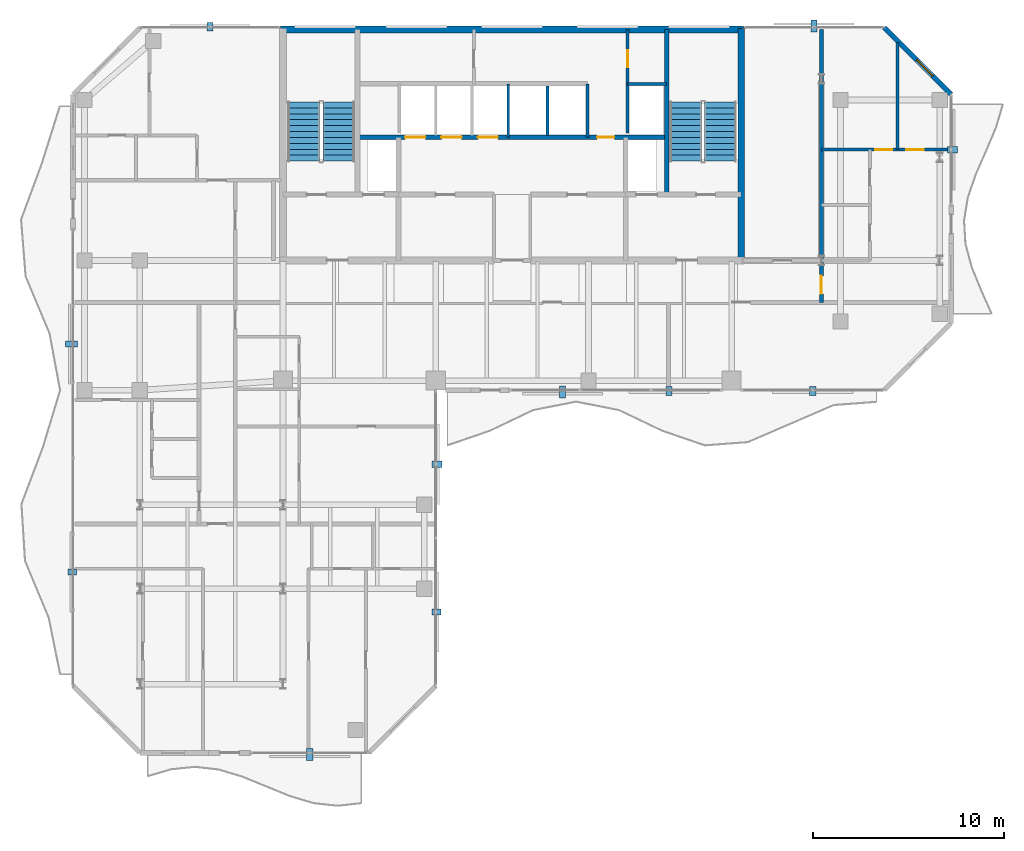
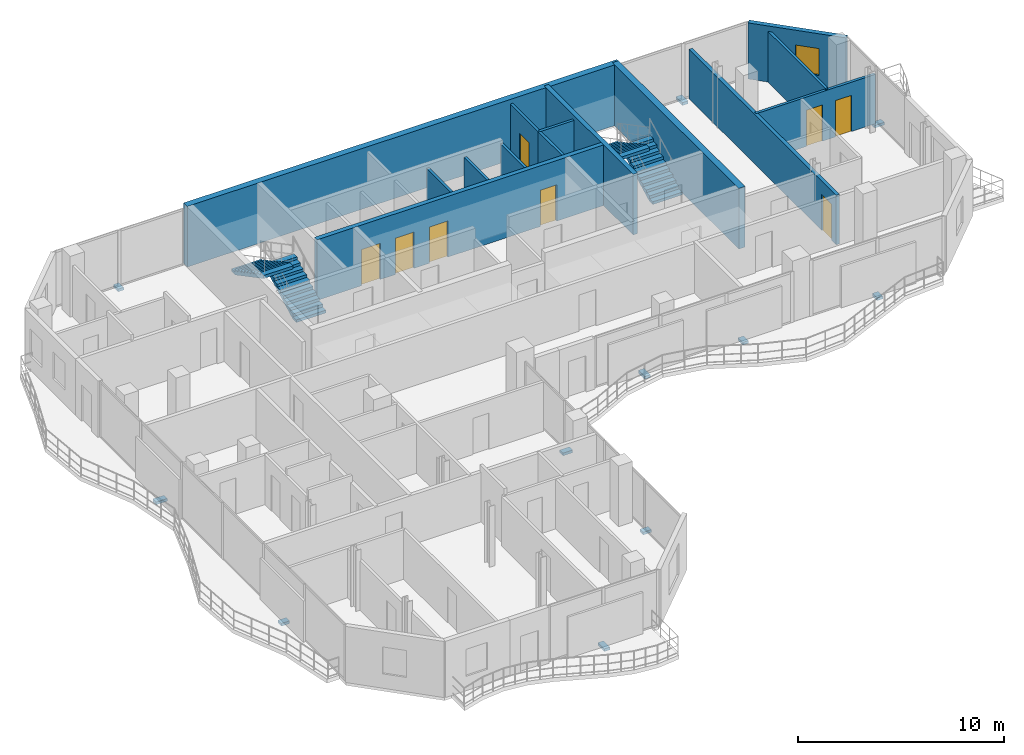
# One storey, part 20 of 23: 14 walls, 11 discrete accessories, 8 doors, 4 stair flights, 1 window, 9 openings, 2 elements without a shape of their own.
"""IFC4 building model written with IfcOpenShell, lengths in metres."""

from ifc_helpers import new_model, si_unit, direction, frame, frame_2d, origin, origin_2d, place, context, subcontext, project, spatial, polyline, rectangle, outline, extrude, material, layer, layer_set, type_object, element, fill, aggregate, save


model = new_model("IFC4")

# Units and contexts
model_context = context("Model", 3, precision=1e-05, world=origin(), true_north=direction((0.0, 1.0)))
body_context = subcontext(model_context, "Body", "Model", "MODEL_VIEW")
ifc_project = project(units=[si_unit("LENGTHUNIT", "METRE"), si_unit("AREAUNIT", "SQUARE_METRE"), si_unit("VOLUMEUNIT", "CUBIC_METRE"), si_unit("PLANEANGLEUNIT", "RADIAN"), si_unit("MASSUNIT", "GRAM", prefix="KILO")], contexts=[model_context])

# Site, building, storey
site_placement = place(None, origin())
site = spatial("IfcSite", under=ifc_project, at=site_placement, CompositionType="ELEMENT")
building_placement = place(site_placement, origin())
building = spatial("IfcBuilding", under=site, at=building_placement, Name="Catumbela Crestline Tower", CompositionType="ELEMENT")
storey_placement = place(building_placement, frame((0.0, 0.0, 165.0)))
storey = spatial("IfcBuildingStorey", under=building, at=storey_placement, Name="L42", CompositionType="ELEMENT", Elevation=165.0)

# Wall
ifc_material_1 = material(Name="Concrete C50/60", Category="concrete")
ifc_layer_1 = layer(ifc_material_1, 0.25, Name="Concrete C50/60")
ifc_layer_set_1 = layer_set([ifc_layer_1], Name="Concrete C50/60")
wall_type_1 = type_object("IfcWallType", Name="CW-250D", PredefinedType="SHEAR", material=ifc_layer_set_1)
wall_1_placement = place(storey_placement, frame((36.1, 34.25, 0.0), z_axis=(0.0, 0.0, 1.0), x_axis=(0.0, 1.0, 0.0)))
element("IfcWall", 1, at=wall_1_placement, inside=storey, type_object=wall_type_1, Name="L42 Structural Core Shear Wall EWEB", PredefinedType="SHEAR", context=body_context, shape_type="SweptSolid", body=[
    extrude(rectangle(XDim=8.65, YDim=0.25, at=frame_2d((4.325, 0.0))), origin(), (0.0, 0.0, 1.0), 3.6),
])

# Wall, openings, doors
wall_2_placement = place(storey_placement, frame((19.9, 37.25, 0.0), z_axis=(0.0, 0.0, 1.0), x_axis=(1.0, 0.0, 0.0)))
wall_2 = element("IfcWall", 2, at=wall_2_placement, inside=storey, type_object=wall_type_1, Name="L42 Structural Core Shear Wall LIFTN", PredefinedType="SHEAR", context=body_context, shape_type="SweptSolid", body=[
    extrude(rectangle(XDim=16.2, YDim=0.25, at=frame_2d((8.1, 0.0))), origin(), (0.0, 0.0, 1.0), 3.6),
])
opening_1_placement = place(wall_2_placement, frame((12.55, 0.0, 0.0)))
opening_1 = element("IfcOpeningElement", 3, at=opening_1_placement, cuts=wall_2, Name="Opening DF9-090", PredefinedType="OPENING", context=body_context, shape_type="SweptSolid", body=[
    extrude(rectangle(XDim=0.9, YDim=2.15, at=frame_2d((0.45, 1.075))), frame((0.0, 0.135, 0.0), z_axis=(0.0, -1.0, 0.0), x_axis=(1.0, 0.0, 0.0)), (0.0, 0.0, 1.0), 0.27),
])
opening_2_placement = place(wall_2_placement, frame((2.5, 0.0, 0.0)))
opening_2 = element("IfcOpeningElement", 4, at=opening_2_placement, cuts=wall_2, Name="Opening LD-105", PredefinedType="OPENING", context=body_context, shape_type="SweptSolid", body=[
    extrude(rectangle(XDim=1.05, YDim=2.15, at=frame_2d((0.525, 1.075))), frame((0.0, 0.135, 0.0), z_axis=(0.0, -1.0, 0.0), x_axis=(1.0, 0.0, 0.0)), (0.0, 0.0, 1.0), 0.27),
])
opening_3_placement = place(wall_2_placement, frame((4.4, 0.0, 0.0)))
opening_3 = element("IfcOpeningElement", 5, at=opening_3_placement, cuts=wall_2, Name="Opening LD-105", PredefinedType="OPENING", context=body_context, shape_type="SweptSolid", body=[
    extrude(rectangle(XDim=1.05, YDim=2.15, at=frame_2d((0.525, 1.075))), frame((0.0, 0.135, 0.0), z_axis=(0.0, -1.0, 0.0), x_axis=(1.0, 0.0, 0.0)), (0.0, 0.0, 1.0), 0.27),
])
opening_4_placement = place(wall_2_placement, frame((6.3, 0.0, 0.0)))
opening_4 = element("IfcOpeningElement", 6, at=opening_4_placement, cuts=wall_2, Name="Opening LD-105", PredefinedType="OPENING", context=body_context, shape_type="SweptSolid", body=[
    extrude(rectangle(XDim=1.05, YDim=2.15, at=frame_2d((0.525, 1.075))), frame((0.0, 0.135, 0.0), z_axis=(0.0, -1.0, 0.0), x_axis=(1.0, 0.0, 0.0)), (0.0, 0.0, 1.0), 0.27),
])
ifc_material_2 = material(Name="Stainless steel EN 1.4401", Category="steel")
door_type_1 = type_object("IfcDoorType", Name="DF9-090", OperationType="NOTDEFINED", PredefinedType="DOOR", material=ifc_material_2)
door_1_placement = place(opening_1_placement, origin())
door_1 = element("IfcDoor", 7, at=door_1_placement, inside=storey, type_object=door_type_1, Name="L42 Interior Door DR-L42-CPAS1", OperationType="SINGLE_SWING_LEFT", OverallHeight=2.15, OverallWidth=0.9, PredefinedType="DOOR", context=body_context, shape_type="SweptSolid", body=[
    extrude(rectangle(XDim=0.9, YDim=2.15, at=frame_2d((0.45, 1.075))), frame((0.0, 0.025, 0.0), z_axis=(0.0, -1.0, 0.0), x_axis=(1.0, 0.0, 0.0)), (0.0, 0.0, 1.0), 0.05),
])
fill(opening_1, door_1)
door_type_2 = type_object("IfcDoorType", Name="LD-105", OperationType="NOTDEFINED", PredefinedType="DOOR", material=ifc_material_2)
door_2_placement = place(opening_2_placement, origin())
door_2 = element("IfcDoor", 8, at=door_2_placement, inside=storey, type_object=door_type_2, Name="L42 Lift Landing Sliding Door PL-H1", OperationType="DOUBLE_DOOR_SLIDING", OverallHeight=2.15, OverallWidth=1.05, PredefinedType="DOOR", context=body_context, shape_type="SweptSolid", body=[
    extrude(rectangle(XDim=1.05, YDim=2.15, at=frame_2d((0.525, 1.075))), frame((0.0, 0.025, 0.0), z_axis=(0.0, -1.0, 0.0), x_axis=(1.0, 0.0, 0.0)), (0.0, 0.0, 1.0), 0.05),
])
fill(opening_2, door_2)
door_3_placement = place(opening_3_placement, origin())
door_3 = element("IfcDoor", 9, at=door_3_placement, inside=storey, type_object=door_type_2, Name="L42 Lift Landing Sliding Door PL-H2", OperationType="DOUBLE_DOOR_SLIDING", OverallHeight=2.15, OverallWidth=1.05, PredefinedType="DOOR", context=body_context, shape_type="SweptSolid", body=[
    extrude(rectangle(XDim=1.05, YDim=2.15, at=frame_2d((0.525, 1.075))), frame((0.0, 0.025, 0.0), z_axis=(0.0, -1.0, 0.0), x_axis=(1.0, 0.0, 0.0)), (0.0, 0.0, 1.0), 0.05),
])
fill(opening_3, door_3)
door_4_placement = place(opening_4_placement, origin())
door_4 = element("IfcDoor", 10, at=door_4_placement, inside=storey, type_object=door_type_2, Name="L42 Lift Landing Sliding Door PL-H3", OperationType="DOUBLE_DOOR_SLIDING", OverallHeight=2.15, OverallWidth=1.05, PredefinedType="DOOR", context=body_context, shape_type="SweptSolid", body=[
    extrude(rectangle(XDim=1.05, YDim=2.15, at=frame_2d((0.525, 1.075))), frame((0.0, 0.025, 0.0), z_axis=(0.0, -1.0, 0.0), x_axis=(1.0, 0.0, 0.0)), (0.0, 0.0, 1.0), 0.05),
])
fill(opening_4, door_4)

# Walls
ifc_layer_2 = layer(ifc_material_1, 0.35, Name="Concrete C50/60")
ifc_layer_set_2 = layer_set([ifc_layer_2], Name="Concrete C50/60")
wall_type_2 = type_object("IfcWallType", Name="CW-350B", PredefinedType="SHEAR", material=ifc_layer_set_2)
wall_3_placement = place(storey_placement, frame((40.0, 30.65, 0.0), z_axis=(0.0, 0.0, 1.0), x_axis=(0.0, 1.0, 0.0)))
element("IfcWall", 11, at=wall_3_placement, inside=storey, type_object=wall_type_2, Name="L42 Structural Core Shear Wall E", PredefinedType="SHEAR", context=body_context, shape_type="SweptSolid", body=[
    extrude(rectangle(XDim=12.3, YDim=0.35, at=frame_2d((6.15, 0.0))), origin(), (0.0, 0.0, 1.0), 3.6),
])
ifc_layer_3 = layer(ifc_material_1, 0.35, Name="Concrete C50/60")
ifc_layer_set_3 = layer_set([ifc_layer_3], Name="Concrete C50/60")
wall_type_3 = type_object("IfcWallType", Name="CW-350E", PredefinedType="SHEAR", material=ifc_layer_set_3)
wall_4_placement = place(storey_placement, frame((15.85, 42.9, 0.0), z_axis=(0.0, 0.0, 1.0), x_axis=(1.0, 0.0, 0.0)))
element("IfcWall", 12, at=wall_4_placement, inside=storey, type_object=wall_type_3, Name="L42 Structural Core Shear Wall N", PredefinedType="SHEAR", context=body_context, shape_type="SweptSolid", body=[
    extrude(rectangle(XDim=24.3, YDim=0.35, at=frame_2d((12.15, 0.0))), origin(), (0.0, 0.0, 1.0), 3.6),
])

# Wall, opening, door
ifc_material_3 = material(Name="Acoustic gypsum and mineral-wool partition")
ifc_layer_4 = layer(ifc_material_3, 0.2, Name="Acoustic gypsum and mineral-wool partition")
ifc_layer_set_4 = layer_set([ifc_layer_4], Name="Acoustic gypsum and mineral-wool partition")
wall_type_4 = type_object("IfcWallType", Name="WC-200", PredefinedType="PARTITIONING", material=ifc_layer_set_4)
wall_5_placement = place(storey_placement, frame((44.2, 28.6, 0.0), z_axis=(0.0, 0.0, 1.0), x_axis=(0.0, 1.0, 0.0)))
wall_5 = element("IfcWall", 13, at=wall_5_placement, inside=storey, type_object=wall_type_4, Name="L42 Interior Partition PW-L42-NE1-ENT", PredefinedType="PARTITIONING", context=body_context, shape_type="SweptSolid", body=[
    extrude(rectangle(XDim=14.3, YDim=0.2, at=frame_2d((7.15, 0.0))), origin(), (0.0, 0.0, 1.0), 2.93),
])
opening_5_placement = place(wall_5_placement, frame((0.445, 0.0, 0.0)))
opening_5 = element("IfcOpeningElement", 14, at=opening_5_placement, cuts=wall_5, Name="Opening DF6-095", PredefinedType="OPENING", context=body_context, shape_type="SweptSolid", body=[
    extrude(rectangle(XDim=0.95, YDim=2.15, at=frame_2d((0.475, 1.075))), frame((0.0, 0.11, 0.0), z_axis=(0.0, -1.0, 0.0), x_axis=(1.0, 0.0, 0.0)), (0.0, 0.0, 1.0), 0.22),
])
ifc_material_4 = material(Name="Aluminium alloy AW-6060-T66", Category="aluminium")
door_type_3 = type_object("IfcDoorType", Name="DF6-095", OperationType="NOTDEFINED", PredefinedType="DOOR", material=ifc_material_4)
door_5_placement = place(opening_5_placement, origin())
door_5 = element("IfcDoor", 15, at=door_5_placement, inside=storey, type_object=door_type_3, Name="L42 Interior Door DR-L42-NE1-ENT", OperationType="SINGLE_SWING_LEFT", OverallHeight=2.15, OverallWidth=0.95, PredefinedType="DOOR", context=body_context, shape_type="SweptSolid", body=[
    extrude(rectangle(XDim=0.95, YDim=2.15, at=frame_2d((0.475, 1.075))), frame((0.0, 0.025, 0.0), z_axis=(0.0, -1.0, 0.0), x_axis=(1.0, 0.0, 0.0)), (0.0, 0.0, 1.0), 0.05),
])
fill(opening_5, door_5)

# Wall, opening, window
ifc_material_5 = material(Name="Angolan grey-ochre granite", Category="masonry")
ifc_layer_5 = layer(ifc_material_5, 0.25, Name="Angolan grey-ochre granite")
ifc_layer_set_5 = layer_set([ifc_layer_5], Name="Angolan grey-ochre granite")
wall_type_5 = type_object("IfcWallType", Name="WE-250", PredefinedType="STANDARD", material=ifc_layer_set_5)
wall_6_placement = place(storey_placement, frame((51.0, 39.5, 0.0), z_axis=(0.0, 0.0, 1.0), x_axis=(-0.707106781187, 0.707106781187, 0.0)))
wall_6 = element("IfcWall", 16, at=wall_6_placement, inside=storey, type_object=wall_type_5, Name="L42 Granite Punched Window Wall 6-1", PredefinedType="STANDARD", context=body_context, shape_type="SweptSolid", body=[
    extrude(rectangle(XDim=4.9497, YDim=0.25, at=frame_2d((2.4748, 0.0))), origin(), (0.0, 0.0, 1.0), 3.33),
])
opening_6_placement = place(wall_6_placement, frame((1.3574, 0.0, 0.85)))
opening_6 = element("IfcOpeningElement", 17, at=opening_6_placement, cuts=wall_6, Name="Opening WN-02", PredefinedType="OPENING", context=body_context, shape_type="SweptSolid", body=[
    extrude(rectangle(XDim=1.2, YDim=1.6, at=frame_2d((0.6, 0.8))), frame((0.0, 0.135, 0.0), z_axis=(0.0, -1.0, 0.0), x_axis=(1.0, 0.0, 0.0)), (0.0, 0.0, 1.0), 0.27),
])
ifc_material_6 = material(Name="Low-E laminated solar-control double glazing", Category="glass")
window_type = type_object("IfcWindowType", Name="WO-1200", PartitioningType="SINGLE_PANEL", PredefinedType="WINDOW", material=ifc_material_6)
window_placement = place(opening_6_placement, origin())
window = element("IfcWindow", 18, at=window_placement, inside=storey, type_object=window_type, Name="L42 Facade Vision Window 248", OverallHeight=1.6, OverallWidth=1.2, PartitioningType="SINGLE_PANEL", PredefinedType="WINDOW", context=body_context, shape_type="SweptSolid", body=[
    extrude(rectangle(XDim=1.2, YDim=1.6, at=frame_2d((0.6, 0.8))), frame((0.0, 0.03, 0.0), z_axis=(0.0, -1.0, 0.0), x_axis=(1.0, 0.0, 0.0)), (0.0, 0.0, 1.0), 0.06),
])
fill(opening_6, window)

# Wall
ifc_layer_6 = layer(ifc_material_3, 0.15, Name="Acoustic gypsum and mineral-wool partition")
ifc_layer_set_6 = layer_set([ifc_layer_6], Name="Acoustic gypsum and mineral-wool partition")
wall_type_6 = type_object("IfcWallType", Name="WP-150", PredefinedType="PARTITIONING", material=ifc_layer_set_6)
wall_7_placement = place(storey_placement, frame((34.05, 40.05, 0.0), z_axis=(0.0, 0.0, 1.0), x_axis=(1.0, 0.0, 0.0)))
element("IfcWall", 19, at=wall_7_placement, inside=storey, type_object=wall_type_6, Name="L42 Interior Partition PW-L42-CR-ES", PredefinedType="PARTITIONING", context=body_context, shape_type="SweptSolid", body=[
    extrude(rectangle(XDim=2.05, YDim=0.15, at=frame_2d((1.025, 0.0))), origin(), (0.0, 0.0, 1.0), 3.33),
])

# Wall, opening, door
wall_8_placement = place(storey_placement, frame((34.05, 40.05, 0.0), z_axis=(0.0, 0.0, 1.0), x_axis=(0.0, 1.0, 0.0)))
wall_8 = element("IfcWall", 20, at=wall_8_placement, inside=storey, type_object=wall_type_6, Name="L42 Interior Partition PW-L42-CR-EW", PredefinedType="PARTITIONING", context=body_context, shape_type="SweptSolid", body=[
    extrude(rectangle(XDim=2.85, YDim=0.15, at=frame_2d((1.425, 0.0))), origin(), (0.0, 0.0, 1.0), 3.33),
])
opening_7_placement = place(wall_8_placement, frame((0.865, 0.0, 0.0)))
opening_7 = element("IfcOpeningElement", 21, at=opening_7_placement, cuts=wall_8, Name="Opening DF9-090", PredefinedType="OPENING", context=body_context, shape_type="SweptSolid", body=[
    extrude(rectangle(XDim=0.9, YDim=2.15, at=frame_2d((0.45, 1.075))), frame((0.0, 0.085, 0.0), z_axis=(0.0, -1.0, 0.0), x_axis=(1.0, 0.0, 0.0)), (0.0, 0.0, 1.0), 0.17),
])
door_6_placement = place(opening_7_placement, origin())
door_6 = element("IfcDoor", 22, at=door_6_placement, inside=storey, type_object=door_type_1, Name="L42 Interior Door DR-L42-CREAST", OperationType="SINGLE_SWING_RIGHT", OverallHeight=2.15, OverallWidth=0.9, PredefinedType="DOOR", context=body_context, shape_type="SweptSolid", body=[
    extrude(rectangle(XDim=0.9, YDim=2.15, at=frame_2d((0.45, 1.075))), frame((0.0, 0.025, 0.0), z_axis=(0.0, -1.0, 0.0), x_axis=(1.0, 0.0, 0.0)), (0.0, 0.0, 1.0), 0.05),
])
fill(opening_7, door_6)

# Wall, openings, doors
wall_9_placement = place(storey_placement, frame((44.2, 36.608, 0.0), z_axis=(0.0, 0.0, 1.0), x_axis=(1.0, 0.0, 0.0)))
wall_9 = element("IfcWall", 23, at=wall_9_placement, inside=storey, type_object=wall_type_6, Name="L42 Interior Partition PW-L42-NE1-KBN", PredefinedType="PARTITIONING", context=body_context, shape_type="SweptSolid", body=[
    extrude(rectangle(XDim=6.7, YDim=0.15, at=frame_2d((3.35, 0.0))), origin(), (0.0, 0.0, 1.0), 2.93),
])
opening_8_placement = place(wall_9_placement, frame((2.821, 0.0, 0.0)))
opening_8 = element("IfcOpeningElement", 24, at=opening_8_placement, cuts=wall_9, Name="Opening DI-090", PredefinedType="OPENING", context=body_context, shape_type="SweptSolid", body=[
    extrude(rectangle(XDim=0.9, YDim=2.15, at=frame_2d((0.45, 1.075))), frame((0.0, 0.085, 0.0), z_axis=(0.0, -1.0, 0.0), x_axis=(1.0, 0.0, 0.0)), (0.0, 0.0, 1.0), 0.17),
])
opening_9_placement = place(wall_9_placement, frame((4.4569, 0.0, 0.0)))
opening_9 = element("IfcOpeningElement", 25, at=opening_9_placement, cuts=wall_9, Name="Opening DI-090", PredefinedType="OPENING", context=body_context, shape_type="SweptSolid", body=[
    extrude(rectangle(XDim=0.9, YDim=2.15, at=frame_2d((0.45, 1.075))), frame((0.0, 0.085, 0.0), z_axis=(0.0, -1.0, 0.0), x_axis=(1.0, 0.0, 0.0)), (0.0, 0.0, 1.0), 0.17),
])
door_type_4 = type_object("IfcDoorType", Name="DI-090", OperationType="NOTDEFINED", PredefinedType="DOOR", material=ifc_material_4)
door_7_placement = place(opening_8_placement, origin())
door_7 = element("IfcDoor", 26, at=door_7_placement, inside=storey, type_object=door_type_4, Name="L42 Interior Door DR-L42-NE1-BD1", OperationType="SINGLE_SWING_LEFT", OverallHeight=2.15, OverallWidth=0.9, PredefinedType="DOOR", context=body_context, shape_type="SweptSolid", body=[
    extrude(rectangle(XDim=0.9, YDim=2.15, at=frame_2d((0.45, 1.075))), frame((0.0, 0.025, 0.0), z_axis=(0.0, -1.0, 0.0), x_axis=(1.0, 0.0, 0.0)), (0.0, 0.0, 1.0), 0.05),
])
fill(opening_8, door_7)
door_8_placement = place(opening_9_placement, origin())
door_8 = element("IfcDoor", 27, at=door_8_placement, inside=storey, type_object=door_type_4, Name="L42 Interior Door DR-L42-NE1-BD2", OperationType="SINGLE_SWING_RIGHT", OverallHeight=2.15, OverallWidth=0.9, PredefinedType="DOOR", context=body_context, shape_type="SweptSolid", body=[
    extrude(rectangle(XDim=0.9, YDim=2.15, at=frame_2d((0.45, 1.075))), frame((0.0, 0.025, 0.0), z_axis=(0.0, -1.0, 0.0), x_axis=(1.0, 0.0, 0.0)), (0.0, 0.0, 1.0), 0.05),
])
fill(opening_9, door_8)

# Walls
wall_10_placement = place(storey_placement, frame((48.196, 36.608, 0.0), z_axis=(0.0, 0.0, 1.0), x_axis=(0.0, 1.0, 0.0)))
element("IfcWall", 28, at=wall_10_placement, inside=storey, type_object=wall_type_6, Name="L42 Interior Partition PW-L42-NE1-BDP", PredefinedType="PARTITIONING", context=body_context, shape_type="SweptSolid", body=[
    extrude(rectangle(XDim=5.596, YDim=0.15, at=frame_2d((2.798, 0.0))), origin(), (0.0, 0.0, 1.0), 3.01),
])
ifc_layer_7 = layer(ifc_material_3, 0.15, Name="Acoustic gypsum and mineral-wool partition")
ifc_layer_set_7 = layer_set([ifc_layer_7], Name="Acoustic gypsum and mineral-wool partition")
wall_type_7 = type_object("IfcWallType", Name="WS-150", PredefinedType="PLUMBINGWALL", material=ifc_layer_set_7)
for number, where, z_axis, x_axis, name in (
    (29, (27.8, 37.25, 0.0), (0.0, 0.0, 1.0), (0.0, 1.0, 0.0), "L42 Interior Partition PW-L42-SHH3"),
    (30, (31.95, 37.25, 0.0), (0.0, 0.0, 1.0), (0.0, 1.0, 0.0), "L42 Interior Partition PW-L42-SHEX2E"),
):
    element("IfcWall", number, at=place(storey_placement, frame(where, z_axis=z_axis, x_axis=x_axis)), inside=storey, type_object=wall_type_7, Name=name, PredefinedType="PLUMBINGWALL", context=body_context, shape_type="SweptSolid", body=[
        extrude(rectangle(XDim=2.8, YDim=0.15, at=frame_2d((1.4, 0.0))), origin(), (0.0, 0.0, 1.0), 3.33),
    ])
wall_11_placement = place(storey_placement, frame((29.85, 37.35, 0.0), z_axis=(0.0, 0.0, 1.0), x_axis=(0.0, 1.0, 0.0)))
element("IfcWall", 31, at=wall_11_placement, inside=storey, type_object=wall_type_7, Name="L42 Interior Partition PW-L42-SHEX1", PredefinedType="PLUMBINGWALL", context=body_context, shape_type="SweptSolid", body=[
    extrude(rectangle(XDim=2.6, YDim=0.15, at=frame_2d((1.3, 0.0))), origin(), (0.0, 0.0, 1.0), 3.33),
])
wall_12_placement = place(storey_placement, frame((34.05, 37.4734, 0.0), z_axis=(0.0, 0.0, 1.0), x_axis=(0.0, 1.0, 0.0)))
element("IfcWall", 32, at=wall_12_placement, inside=storey, type_object=wall_type_7, Name="L42 Interior Partition PW-L42-RISW", PredefinedType="PLUMBINGWALL", context=body_context, shape_type="SweptSolid", body=[
    extrude(rectangle(XDim=2.5766, YDim=0.15, at=frame_2d((1.2883, 0.0))), origin(), (0.0, 0.0, 1.0), 3.33),
])

# Stair, stair flights
ifc_material_7 = material(Name="Concrete C45/55", Category="concrete")
stair_type = type_object("IfcStairType", Name="ST-DLG", PredefinedType="HALF_TURN_STAIR", material=ifc_material_7)
stair_1_placement = place(storey_placement, origin())
stair_1 = element("IfcStair", 33, at=stair_1_placement, inside=storey, type_object=stair_type, Name="L42 West Core Pressurised Exit Stair ST-01", PredefinedType="HALF_TURN_STAIR")
stair_flight_type = type_object("IfcStairFlightType", Name="SF-1636", PredefinedType="STRAIGHT", material=ifc_material_7)
stair_flight_1_placement = place(storey_placement, frame((18.92, 36.0, 0.0), z_axis=(0.0, 0.0, 1.0), x_axis=(0.0, 1.0, 0.0)))
stair_flight_1 = element("IfcStairFlight", 34, at=stair_flight_1_placement, type_object=stair_flight_type, Name="ST-01 flight 1", NumberOfRisers=11, NumberOfTreads=10, PredefinedType="STRAIGHT", RiserHeight=0.163636364, TreadLength=0.31, context=body_context, shape_type="SweptSolid", body=[
    extrude(outline(polyline([(0.0, 0.0), (0.0, 0.1636), (0.31, 0.1636), (0.31, 0.3273), (0.62, 0.3273), (0.62, 0.4909), (0.93, 0.4909), (0.93, 0.6545), (1.24, 0.6545), (1.24, 0.8182), (1.55, 0.8182), (1.55, 0.9818), (1.86, 0.9818), (1.86, 1.1455), (2.17, 1.1455), (2.17, 1.3091), (2.48, 1.3091), (2.48, 1.4727), (2.79, 1.4727), (2.79, 1.6364), (3.1, 1.6364), (3.1, 1.8), (3.1, 1.4554), (0.3427, 0.0), (0.0, 0.0)])), frame((0.0, 0.83, 0.0), z_axis=(0.0, -1.0, 0.0), x_axis=(1.0, 0.0, 0.0)), (0.0, 0.0, 1.0), 1.66),
])
stair_flight_2_placement = place(storey_placement, frame((17.08, 39.1, 1.8), z_axis=(0.0, 0.0, 1.0), x_axis=(0.0, -1.0, 0.0)))
stair_flight_2 = element("IfcStairFlight", 35, at=stair_flight_2_placement, type_object=stair_flight_type, Name="ST-01 flight 2", NumberOfRisers=11, NumberOfTreads=10, PredefinedType="STRAIGHT", RiserHeight=0.163636364, TreadLength=0.31, context=body_context, shape_type="SweptSolid", body=[
    extrude(outline(polyline([(0.0, 0.0), (0.0, 0.1636), (0.31, 0.1636), (0.31, 0.3273), (0.62, 0.3273), (0.62, 0.4909), (0.93, 0.4909), (0.93, 0.6545), (1.24, 0.6545), (1.24, 0.8182), (1.55, 0.8182), (1.55, 0.9818), (1.86, 0.9818), (1.86, 1.1455), (2.17, 1.1455), (2.17, 1.3091), (2.48, 1.3091), (2.48, 1.4727), (2.79, 1.4727), (2.79, 1.6364), (3.1, 1.6364), (3.1, 1.8), (3.1, 1.4554), (0.3427, 0.0), (0.0, 0.0)])), frame((0.0, 0.83, 0.0), z_axis=(0.0, -1.0, 0.0), x_axis=(1.0, 0.0, 0.0)), (0.0, 0.0, 1.0), 1.66),
])
aggregate(stair_1, [stair_flight_1, stair_flight_2])

stair_2_placement = place(storey_placement, origin())
stair_2 = element("IfcStair", 36, at=stair_2_placement, inside=storey, type_object=stair_type, Name="L42 East Core Pressurised Exit Stair ST-02", PredefinedType="HALF_TURN_STAIR")
stair_flight_3_placement = place(storey_placement, frame((38.92, 36.0, 0.0), z_axis=(0.0, 0.0, 1.0), x_axis=(0.0, 1.0, 0.0)))
stair_flight_3 = element("IfcStairFlight", 37, at=stair_flight_3_placement, type_object=stair_flight_type, Name="ST-02 flight 1", NumberOfRisers=11, NumberOfTreads=10, PredefinedType="STRAIGHT", RiserHeight=0.163636364, TreadLength=0.31, context=body_context, shape_type="SweptSolid", body=[
    extrude(outline(polyline([(0.0, 0.0), (0.0, 0.1636), (0.31, 0.1636), (0.31, 0.3273), (0.62, 0.3273), (0.62, 0.4909), (0.93, 0.4909), (0.93, 0.6545), (1.24, 0.6545), (1.24, 0.8182), (1.55, 0.8182), (1.55, 0.9818), (1.86, 0.9818), (1.86, 1.1455), (2.17, 1.1455), (2.17, 1.3091), (2.48, 1.3091), (2.48, 1.4727), (2.79, 1.4727), (2.79, 1.6364), (3.1, 1.6364), (3.1, 1.8), (3.1, 1.4554), (0.3427, 0.0), (0.0, 0.0)])), frame((0.0, 0.83, 0.0), z_axis=(0.0, -1.0, 0.0), x_axis=(1.0, 0.0, 0.0)), (0.0, 0.0, 1.0), 1.66),
])
stair_flight_4_placement = place(storey_placement, frame((37.08, 39.1, 1.8), z_axis=(0.0, 0.0, 1.0), x_axis=(0.0, -1.0, 0.0)))
stair_flight_4 = element("IfcStairFlight", 38, at=stair_flight_4_placement, type_object=stair_flight_type, Name="ST-02 flight 2", NumberOfRisers=11, NumberOfTreads=10, PredefinedType="STRAIGHT", RiserHeight=0.163636364, TreadLength=0.31, context=body_context, shape_type="SweptSolid", body=[
    extrude(outline(polyline([(0.0, 0.0), (0.0, 0.1636), (0.31, 0.1636), (0.31, 0.3273), (0.62, 0.3273), (0.62, 0.4909), (0.93, 0.4909), (0.93, 0.6545), (1.24, 0.6545), (1.24, 0.8182), (1.55, 0.8182), (1.55, 0.9818), (1.86, 0.9818), (1.86, 1.1455), (2.17, 1.1455), (2.17, 1.3091), (2.48, 1.3091), (2.48, 1.4727), (2.79, 1.4727), (2.79, 1.6364), (3.1, 1.6364), (3.1, 1.8), (3.1, 1.4554), (0.3427, 0.0), (0.0, 0.0)])), frame((0.0, 0.83, 0.0), z_axis=(0.0, -1.0, 0.0), x_axis=(1.0, 0.0, 0.0)), (0.0, 0.0, 1.0), 1.66),
])
aggregate(stair_2, [stair_flight_3, stair_flight_4])

# Discrete accessories
discrete_accessory_type = type_object("IfcDiscreteAccessoryType", Name="BK-SS1", PredefinedType="BRACKET", material=ifc_material_2)
discrete_accessory_1_placement = place(storey_placement, frame((17.4, 4.915, -0.18), z_axis=(0.0, 0.0, 1.0), x_axis=(1.0, 0.0, 0.0)))
element("IfcDiscreteAccessory", 39, at=discrete_accessory_1_placement, inside=storey, type_object=discrete_accessory_type, Name="L42 Solar Screen Stainless Bracket 464", PredefinedType="BRACKET", context=body_context, shape_type="SweptSolid", body=[
    extrude(rectangle(XDim=0.32, YDim=0.62, at=origin_2d()), origin(), (0.0, 0.0, 1.0), 0.16),
])
discrete_accessory_2_placement = place(storey_placement, frame((24.045, 12.375, -0.18), z_axis=(0.0, 0.0, 1.0), x_axis=(0.0, 1.0, 0.0)))
element("IfcDiscreteAccessory", 40, at=discrete_accessory_2_placement, inside=storey, type_object=discrete_accessory_type, Name="L42 Solar Screen Stainless Bracket 465", PredefinedType="BRACKET", context=body_context, shape_type="SweptSolid", body=[
    extrude(rectangle(XDim=0.32, YDim=0.46, at=origin_2d()), origin(), (0.0, 0.0, 1.0), 0.16),
])
discrete_accessory_3_placement = place(storey_placement, frame((24.065, 20.125, -0.18), z_axis=(0.0, 0.0, 1.0), x_axis=(0.0, 1.0, 0.0)))
element("IfcDiscreteAccessory", 41, at=discrete_accessory_3_placement, inside=storey, type_object=discrete_accessory_type, Name="L42 Solar Screen Stainless Bracket 466", PredefinedType="BRACKET", context=body_context, shape_type="SweptSolid", body=[
    extrude(rectangle(XDim=0.32, YDim=0.54, at=origin_2d()), origin(), (0.0, 0.0, 1.0), 0.16),
])
discrete_accessory_4_placement = place(storey_placement, frame((30.6375, 23.915, -0.18), z_axis=(0.0, 0.0, 1.0), x_axis=(1.0, 0.0, 0.0)))
element("IfcDiscreteAccessory", 42, at=discrete_accessory_4_placement, inside=storey, type_object=discrete_accessory_type, Name="L42 Solar Screen Stainless Bracket 467", PredefinedType="BRACKET", context=body_context, shape_type="SweptSolid", body=[
    extrude(rectangle(XDim=0.32, YDim=0.62, at=origin_2d()), origin(), (0.0, 0.0, 1.0), 0.16),
])
for number, where, z_axis, x_axis, name in (
    (43, (36.2125, 23.955, -0.18), (0.0, 0.0, 1.0), (1.0, 0.0, 0.0), "L42 Solar Screen Stainless Bracket 468"),
    (44, (43.75, 23.955, -0.18), (0.0, 0.0, 1.0), (1.0, 0.0, 0.0), "L42 Solar Screen Stainless Bracket 469"),
):
    element("IfcDiscreteAccessory", number, at=place(storey_placement, frame(where, z_axis=z_axis, x_axis=x_axis)), inside=storey, type_object=discrete_accessory_type, Name=name, PredefinedType="BRACKET", context=body_context, shape_type="SweptSolid", body=[
        extrude(rectangle(XDim=0.32, YDim=0.46, at=origin_2d()), origin(), (0.0, 0.0, 1.0), 0.16),
    ])
discrete_accessory_5_placement = place(storey_placement, frame((51.065, 36.6, -0.18), z_axis=(0.0, 0.0, 1.0), x_axis=(0.0, 1.0, 0.0)))
element("IfcDiscreteAccessory", 45, at=discrete_accessory_5_placement, inside=storey, type_object=discrete_accessory_type, Name="L42 Solar Screen Stainless Bracket 470", PredefinedType="BRACKET", context=body_context, shape_type="SweptSolid", body=[
    extrude(rectangle(XDim=0.32, YDim=0.54, at=origin_2d()), origin(), (0.0, 0.0, 1.0), 0.16),
])
discrete_accessory_6_placement = place(storey_placement, frame((43.82, 43.085, -0.18), z_axis=(0.0, 0.0, 1.0), x_axis=(-1.0, 0.0, 0.0)))
element("IfcDiscreteAccessory", 46, at=discrete_accessory_6_placement, inside=storey, type_object=discrete_accessory_type, Name="L42 Solar Screen Stainless Bracket 471", PredefinedType="BRACKET", context=body_context, shape_type="SweptSolid", body=[
    extrude(rectangle(XDim=0.32, YDim=0.62, at=origin_2d()), origin(), (0.0, 0.0, 1.0), 0.16),
])
discrete_accessory_7_placement = place(storey_placement, frame((12.18, 43.045, -0.18), z_axis=(0.0, 0.0, 1.0), x_axis=(-1.0, 0.0, 0.0)))
element("IfcDiscreteAccessory", 47, at=discrete_accessory_7_placement, inside=storey, type_object=discrete_accessory_type, Name="L42 Solar Screen Stainless Bracket 472", PredefinedType="BRACKET", context=body_context, shape_type="SweptSolid", body=[
    extrude(rectangle(XDim=0.32, YDim=0.46, at=origin_2d()), origin(), (0.0, 0.0, 1.0), 0.16),
])
discrete_accessory_8_placement = place(storey_placement, frame((4.915, 26.425, -0.18), z_axis=(0.0, 0.0, 1.0), x_axis=(0.0, -1.0, 0.0)))
element("IfcDiscreteAccessory", 48, at=discrete_accessory_8_placement, inside=storey, type_object=discrete_accessory_type, Name="L42 Solar Screen Stainless Bracket 473", PredefinedType="BRACKET", context=body_context, shape_type="SweptSolid", body=[
    extrude(rectangle(XDim=0.32, YDim=0.62, at=origin_2d()), origin(), (0.0, 0.0, 1.0), 0.16),
])
discrete_accessory_9_placement = place(storey_placement, frame((4.955, 14.475, -0.18), z_axis=(0.0, 0.0, 1.0), x_axis=(0.0, -1.0, 0.0)))
element("IfcDiscreteAccessory", 49, at=discrete_accessory_9_placement, inside=storey, type_object=discrete_accessory_type, Name="L42 Solar Screen Stainless Bracket 474", PredefinedType="BRACKET", context=body_context, shape_type="SweptSolid", body=[
    extrude(rectangle(XDim=0.32, YDim=0.46, at=origin_2d()), origin(), (0.0, 0.0, 1.0), 0.16),
])

save(model, "model.ifc")
